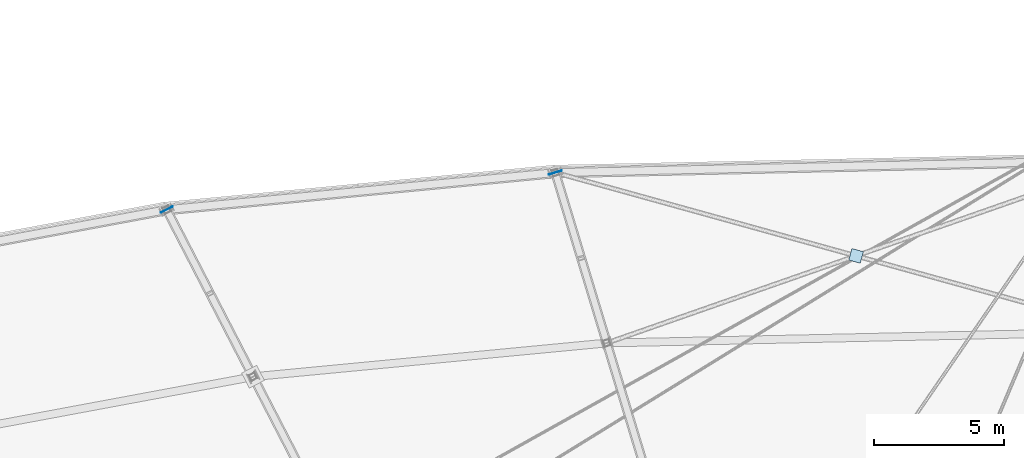
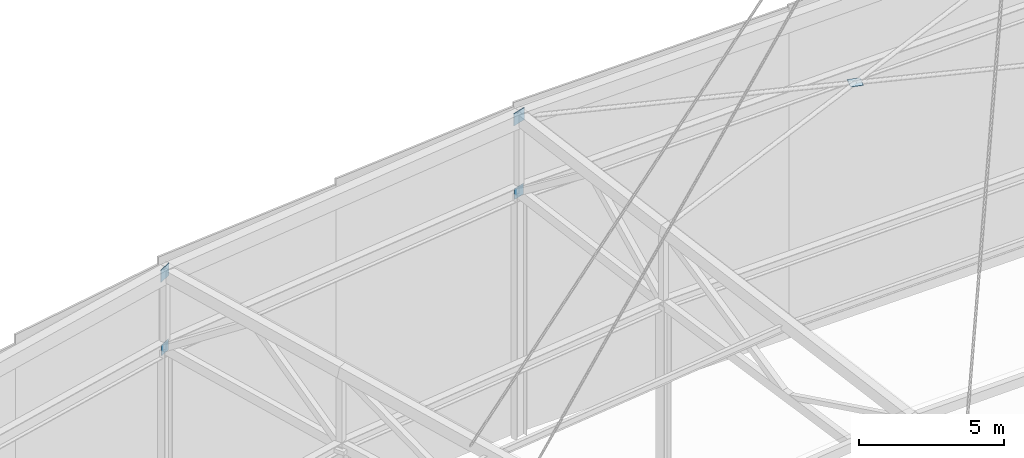
# One storey, part 133 of 143: 5 plates.
"""IFC4 building model written with IfcOpenShell, lengths in metres."""

from ifc_helpers import new_model, si_unit, direction, frame, origin, origin_2d, place, context, subcontext, project, spatial, rectangle, extrude, material, layer, layer_set, type_object, element, save


model = new_model("IFC4")

# Units and contexts
model_context = context("Model", 3, precision=1e-05, world=origin(), true_north=direction((0.0, 1.0)))
body_context = subcontext(model_context, "Body", "Model", "MODEL_VIEW")
ifc_project = project(units=[si_unit("LENGTHUNIT", "METRE"), si_unit("AREAUNIT", "SQUARE_METRE"), si_unit("VOLUMEUNIT", "CUBIC_METRE"), si_unit("PLANEANGLEUNIT", "RADIAN"), si_unit("MASSUNIT", "GRAM", prefix="KILO")], contexts=[model_context])

# Site, building, storey
site_placement = place(None, origin())
site = spatial("IfcSite", under=ifc_project, at=site_placement, CompositionType="ELEMENT")
building_placement = place(site_placement, origin())
building = spatial("IfcBuilding", under=site, at=building_placement, Name="Mphavela Belvedere Stadium", CompositionType="ELEMENT")
storey_placement = place(building_placement, frame((0.0, 0.0, 28.800048828125)))
storey = spatial("IfcBuildingStorey", under=building, at=storey_placement, Name="RF", CompositionType="ELEMENT", Elevation=28.800048828125)

# Plates
ifc_material_1 = material(Name="Steel S355", Category="steel")
ifc_layer_1 = layer(ifc_material_1, 0.01806640625)
ifc_layer_set_1 = layer_set([ifc_layer_1], Name="Steel S355")
plate_type_1 = type_object("IfcPlateType", Name="PLT-CAP-TRUSS-BC", PredefinedType="USERDEFINED", material=ifc_layer_set_1)
plate_placement = place(storey_placement, frame((104.46142578125, 156.987060546875, 12.8203125), z_axis=(0.0, 0.0, 1.0), x_axis=(-0.96372367829, 0.26690198932, 0.0)))
element("IfcPlate", 1, at=plate_placement, inside=storey, type_object=plate_type_1, Name="Roof X-brace crossing gusset node plate 13", ObjectType="GUSSET_PLATE", PredefinedType="USERDEFINED", context=body_context, shape_type="SweptSolid", body=[
    extrude(rectangle(XDim=0.4599609375, YDim=0.4599609375, at=origin_2d()), origin(), (0.0, 0.0, 1.0), 0.01806640625),
])
for number, where, z_axis, x_axis, name in (
    (2, (92.885498046875, 160.19384765625, 10.117431640625), (0.0, 0.0, 1.0), (-0.289198876314, 0.957269037387, 0.0), "Roof truss RT-14 hollow-end cap plate out_bc"),
    (3, (77.92724609375, 158.767333984375, 9.637939453125), (0.0, 0.0, 1.0), (-0.458959712465, 0.888457079624, 0.0), "Roof truss RT-15 hollow-end cap plate out_bc"),
):
    element("IfcPlate", number, at=place(storey_placement, frame(where, z_axis=z_axis, x_axis=x_axis)), inside=storey, type_object=plate_type_1, Name=name, ObjectType="GUSSET_PLATE", PredefinedType="USERDEFINED", context=body_context, shape_type="SweptSolid", body=[
        extrude(rectangle(XDim=0.01806640625, YDim=0.4599609375, at=origin_2d()), origin(), (0.0, 0.0, 1.0), 0.4599609375),
    ])
ifc_material_2 = material(Name="Steel S355", Category="steel")
ifc_layer_2 = layer(ifc_material_2, 0.02001953125)
ifc_layer_set_2 = layer_set([ifc_layer_2], Name="Steel S355")
plate_type_2 = type_object("IfcPlateType", Name="PLT-CAP-TRUSS-TC", PredefinedType="USERDEFINED", material=ifc_layer_set_2)
for number, where, z_axis, x_axis, name in (
    (4, (92.885498046875, 160.19384765625, 13.2373046875), (0.0, 0.0, 1.0), (-0.289198876314, 0.957269037387, 0.0), "Roof truss RT-14 hollow-end cap plate out_tc"),
    (5, (77.92724609375, 158.767333984375, 12.7578125), (0.0, 0.0, 1.0), (-0.458959712465, 0.888457079624, 0.0), "Roof truss RT-15 hollow-end cap plate out_tc"),
):
    element("IfcPlate", number, at=place(storey_placement, frame(where, z_axis=z_axis, x_axis=x_axis)), inside=storey, type_object=plate_type_2, Name=name, ObjectType="GUSSET_PLATE", PredefinedType="USERDEFINED", context=body_context, shape_type="SweptSolid", body=[
        extrude(rectangle(XDim=0.02001953125, YDim=0.52001953125, at=origin_2d()), origin(), (0.0, 0.0, 1.0), 0.52001953125),
    ])

save(model, "model.ifc")
